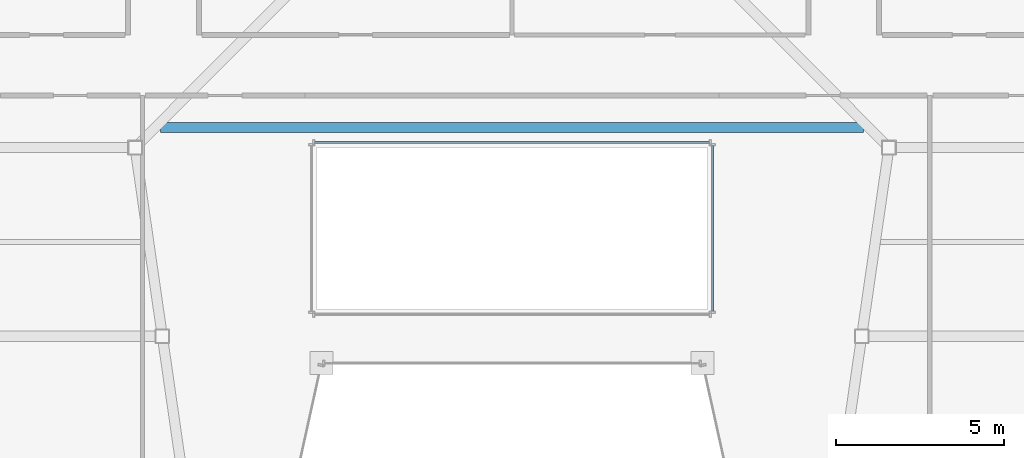
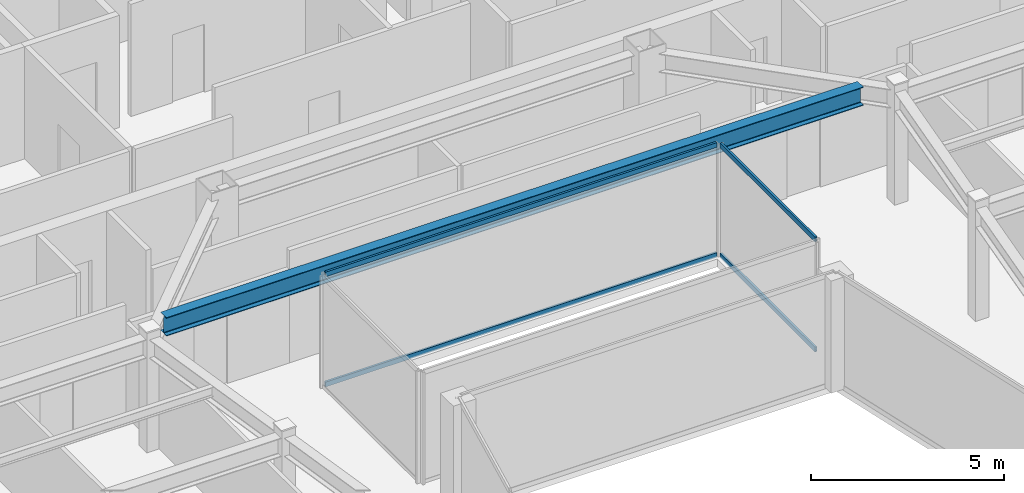
# One storey, part 10 of 33: 4 members, 1 beam, 2 elements without a shape of their own.
"""IFC4 building model written with IfcOpenShell, lengths in metres."""

from ifc_helpers import new_model, si_unit, direction, frame, origin, origin_2d, place, context, subcontext, project, spatial, hollow_rectangle, i_section, extrude, material, material_profile, profile_set, type_object, element, aggregate, save


model = new_model("IFC4")

# Units and contexts
model_context = context("Model", 3, precision=1e-05, world=origin(), true_north=direction((0.0, 1.0)))
body_context = subcontext(model_context, "Body", "Model", "MODEL_VIEW")
ifc_project = project(units=[si_unit("LENGTHUNIT", "METRE"), si_unit("AREAUNIT", "SQUARE_METRE"), si_unit("VOLUMEUNIT", "CUBIC_METRE"), si_unit("PLANEANGLEUNIT", "RADIAN"), si_unit("MASSUNIT", "GRAM", prefix="KILO")], contexts=[model_context])

# Site, building, storey
site_placement = place(None, origin())
site = spatial("IfcSite", under=ifc_project, at=site_placement, CompositionType="ELEMENT")
building_placement = place(site_placement, origin())
building = spatial("IfcBuilding", under=site, at=building_placement, Name="Saevonmaru Cultural Tower", CompositionType="ELEMENT")
storey_placement = place(building_placement, frame((0.0, 0.0, 234.39990234375)))
storey = spatial("IfcBuildingStorey", under=building, at=storey_placement, Name="L54", CompositionType="ELEMENT", Elevation=234.39990234375)

# Beam
ifc_material_1 = material(Name="Steel SM355", Category="steel")
ifc_material_profile_1 = material_profile(ifc_material_1, i_section(OverallWidth=0.300048828125, OverallDepth=0.587890625, WebThickness=0.011962890625, FlangeThickness=0.02001953125, FilletRadius=0.02392578125, at=origin_2d()), Name="H-588x300x12x20")
ifc_profile_set_1 = profile_set([ifc_material_profile_1], Name="Steel SM355")
beam_type = type_object("IfcBeamType", Name="BM-G-H588", PredefinedType="BEAM", material=ifc_profile_set_1)
beam_placement = place(storey_placement, frame((19.56494140625, 38.199951171875, 3.256103515625), z_axis=(1.0, 0.0, 0.0), x_axis=(0.0, 1.0, 0.0)))
element("IfcBeam", 1, at=beam_placement, inside=storey, type_object=beam_type, Name="L54 Central Link Girder", PredefinedType="BEAM", context=body_context, shape_type="SweptSolid", body=[
    extrude(i_section(OverallWidth=0.300048828125, OverallDepth=0.587890625, WebThickness=0.011962890625, FlangeThickness=0.02001953125, FilletRadius=0.02392578125, at=origin_2d()), origin(), (0.0, 0.0, 1.0), 20.8701171875),
])

# Curtain wall, members
ifc_material_2 = material(Name="Satin Bronze Anodised Aluminium", Category="aluminium")
curtain_wall_type = type_object("IfcCurtainWallType", Name="CW-ATR-GLZ", PredefinedType="NOTDEFINED", material=ifc_material_2)
curtain_wall_1_placement = place(storey_placement, origin())
curtain_wall_1 = element("IfcCurtainWall", 2, at=curtain_wall_1_placement, inside=storey, type_object=curtain_wall_type, Name="L54 Vertical Atrium Glazed Smoke Screen 2", PredefinedType="NOTDEFINED")
ifc_material_profile_2 = material_profile(ifc_material_2, hollow_rectangle(XDim=0.06494140625, YDim=0.14990234375, WallThickness=0.00390625, at=origin_2d()), Name="ALU-TRAN-150x65x4")
ifc_profile_set_2 = profile_set([ifc_material_profile_2], Name="Satin Bronze Anodised Aluminium")
member_type = type_object("IfcMemberType", Name="TR-CW-INT-150x65", PredefinedType="USERDEFINED", material=ifc_profile_set_2)
member_1_placement = place(storey_placement, frame((35.949951171875, 32.742431640625, 0.03271484375), z_axis=(0.0, 1.0, 0.0), x_axis=(-1.0, 0.0, 0.0)))
member_1 = element("IfcMember", 3, at=member_1_placement, type_object=member_type, Name="CW-ATR-L54-2 transom 1.1", ObjectType="TRANSOM", PredefinedType="USERDEFINED", context=body_context, shape_type="SweptSolid", body=[
    extrude(hollow_rectangle(XDim=0.06494140625, YDim=0.14990234375, WallThickness=0.00390625, at=origin_2d()), origin(), (0.0, 0.0, 1.0), 4.9150390625),
])
member_2_placement = place(storey_placement, frame((35.949951171875, 32.742431640625, 3.517578125), z_axis=(0.0, 1.0, 0.0), x_axis=(-1.0, 0.0, 0.0)))
member_2 = element("IfcMember", 4, at=member_2_placement, type_object=member_type, Name="CW-ATR-L54-2 transom 1.2", ObjectType="TRANSOM", PredefinedType="USERDEFINED", context=body_context, shape_type="SweptSolid", body=[
    extrude(hollow_rectangle(XDim=0.06494140625, YDim=0.14990234375, WallThickness=0.00390625, at=origin_2d()), origin(), (0.0, 0.0, 1.0), 4.9150390625),
])
aggregate(curtain_wall_1, [member_1, member_2])

curtain_wall_2_placement = place(storey_placement, origin())
curtain_wall_2 = element("IfcCurtainWall", 5, at=curtain_wall_2_placement, inside=storey, type_object=curtain_wall_type, Name="L54 Vertical Atrium Glazed Smoke Screen 3", PredefinedType="NOTDEFINED")
member_3_placement = place(storey_placement, frame((35.857421875, 37.75, 0.03271484375), z_axis=(-1.0, 0.0, 0.0), x_axis=(0.0, -1.0, 0.0)))
member_3 = element("IfcMember", 6, at=member_3_placement, type_object=member_type, Name="CW-ATR-L54-3 transom 1.1", ObjectType="TRANSOM", PredefinedType="USERDEFINED", context=body_context, shape_type="SweptSolid", body=[
    extrude(hollow_rectangle(XDim=0.06494140625, YDim=0.14990234375, WallThickness=0.00390625, at=origin_2d()), origin(), (0.0, 0.0, 1.0), 11.71484375),
])
member_4_placement = place(storey_placement, frame((35.857421875, 37.75, 3.517578125), z_axis=(-1.0, 0.0, 0.0), x_axis=(0.0, -1.0, 0.0)))
member_4 = element("IfcMember", 7, at=member_4_placement, type_object=member_type, Name="CW-ATR-L54-3 transom 1.2", ObjectType="TRANSOM", PredefinedType="USERDEFINED", context=body_context, shape_type="SweptSolid", body=[
    extrude(hollow_rectangle(XDim=0.06494140625, YDim=0.14990234375, WallThickness=0.00390625, at=origin_2d()), origin(), (0.0, 0.0, 1.0), 11.71484375),
])
aggregate(curtain_wall_2, [member_3, member_4])

save(model, "model.ifc")
